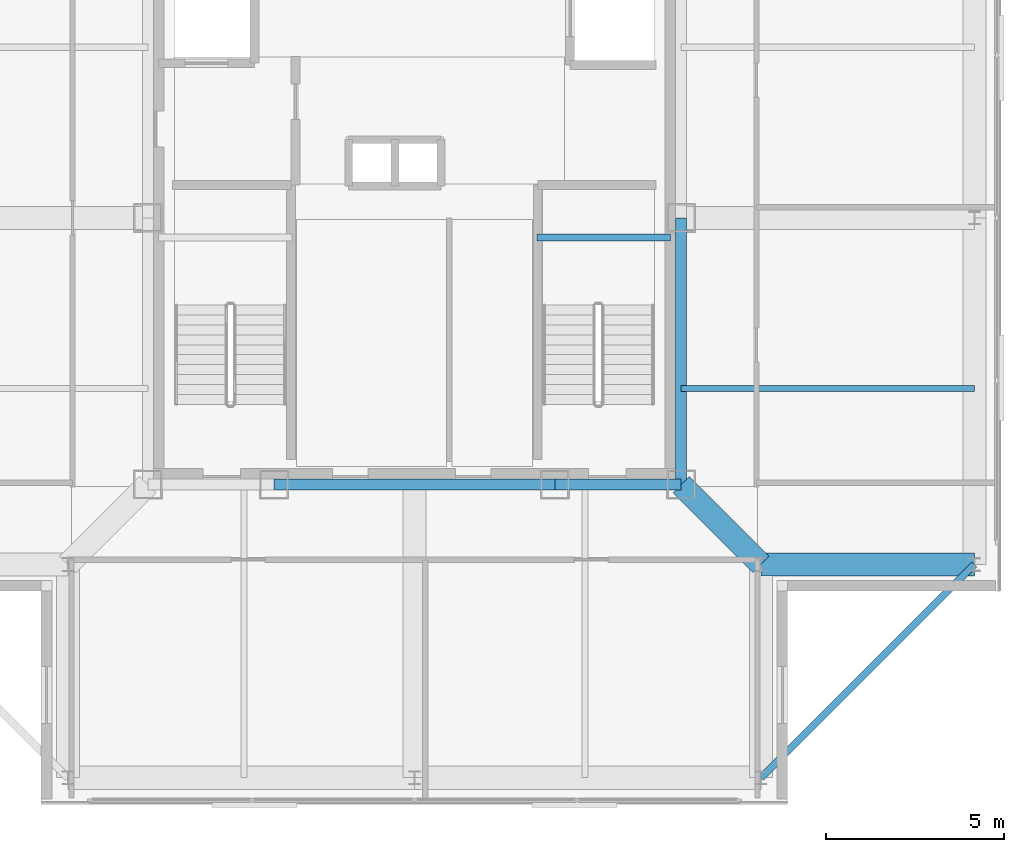
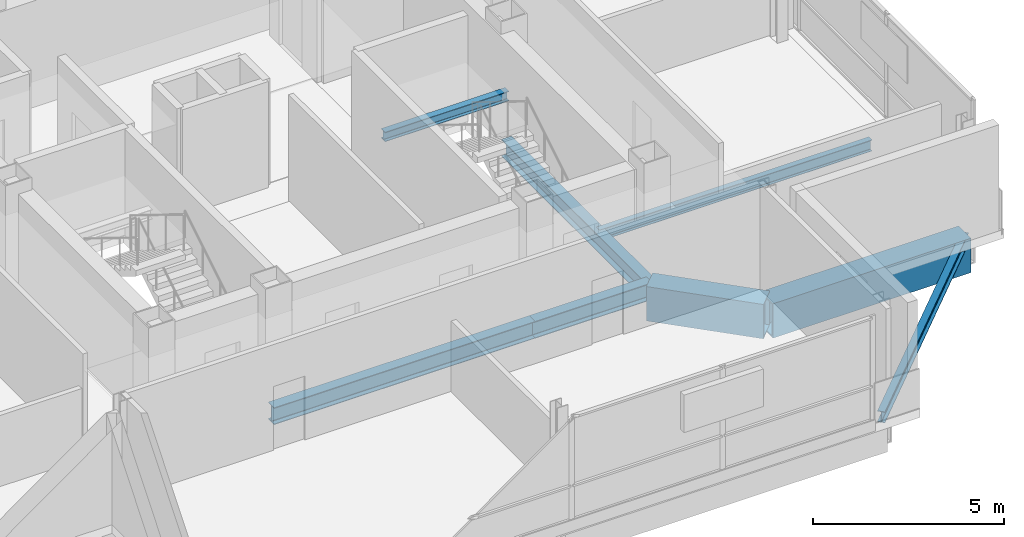
# One storey, part 3 of 11: 8 beams.
"""IFC4 building model written with IfcOpenShell, lengths in metres."""

from ifc_helpers import new_model, si_unit, direction, frame, origin, origin_2d, place, context, subcontext, project, spatial, hollow_rectangle, i_section, extrude, material, material_profile, profile_set, type_object, element, save


model = new_model("IFC4")

# Units and contexts
model_context = context("Model", 3, precision=1e-05, world=origin(), true_north=direction((0.0, 1.0)))
body_context = subcontext(model_context, "Body", "Model", "MODEL_VIEW")
ifc_project = project(units=[si_unit("LENGTHUNIT", "METRE"), si_unit("AREAUNIT", "SQUARE_METRE"), si_unit("VOLUMEUNIT", "CUBIC_METRE"), si_unit("PLANEANGLEUNIT", "RADIAN"), si_unit("MASSUNIT", "GRAM", prefix="KILO")], contexts=[model_context])

# Site, building, storey
site_placement = place(None, origin())
site = spatial("IfcSite", under=ifc_project, at=site_placement, CompositionType="ELEMENT")
building_placement = place(site_placement, origin())
building = spatial("IfcBuilding", under=site, at=building_placement, Name="Trevonay Congress Spire", CompositionType="ELEMENT")
storey_placement = place(building_placement, frame((0.0, 0.0, 312.199951171875)))
storey = spatial("IfcBuildingStorey", under=building, at=storey_placement, Name="L82", CompositionType="ELEMENT", Elevation=312.199951171875)

# Beams
ifc_material = material(Name="Steel ASTM A572 Grade 50", Category="steel")
ifc_material_profile_1 = material_profile(ifc_material, i_section(OverallWidth=0.31201171875, OverallDepth=0.54296875, WebThickness=0.0126953125, FlangeThickness=0.020263671875, FilletRadius=0.014892578125, at=origin_2d()), Name="W530x150")
ifc_profile_set_1 = profile_set([ifc_material_profile_1], Name="Steel ASTM A572 Grade 50")
beam_type_1 = type_object("IfcBeamType", Name="BM-GIRD-W530X150", PredefinedType="BEAM", material=ifc_profile_set_1)
beam_1_placement = place(storey_placement, frame((-3.949951171875, -7.5, -0.551513671875), z_axis=(1.0, 0.0, 0.0), x_axis=(0.0, 1.0, 0.0)))
element("IfcBeam", 1, at=beam_1_placement, inside=storey, type_object=beam_type_1, Name="L82 structural beam BM-L82-CR-S2", PredefinedType="BEAM", context=body_context, shape_type="SweptSolid", body=[
    extrude(i_section(OverallWidth=0.31201171875, OverallDepth=0.54296875, WebThickness=0.0126953125, FlangeThickness=0.020263671875, FilletRadius=0.014892578125, at=origin_2d()), origin(), (0.0, 0.0, 1.0), 7.89990234375),
])
beam_2_placement = place(storey_placement, frame((3.949951171875, -7.5, -0.551513671875), z_axis=(1.0, 0.0, 0.0), x_axis=(0.0, 1.0, 0.0)))
element("IfcBeam", 2, at=beam_2_placement, inside=storey, type_object=beam_type_1, Name="L82 structural beam BM-L82-CR-S3", PredefinedType="BEAM", context=body_context, shape_type="SweptSolid", body=[
    extrude(i_section(OverallWidth=0.31201171875, OverallDepth=0.54296875, WebThickness=0.0126953125, FlangeThickness=0.020263671875, FilletRadius=0.014892578125, at=origin_2d()), origin(), (0.0, 0.0, 1.0), 3.550048828125),
])
beam_3_placement = place(storey_placement, frame((7.5, -7.5, -0.551513671875), z_axis=(0.0, 1.0, 0.0), x_axis=(-1.0, 0.0, 0.0)))
element("IfcBeam", 3, at=beam_3_placement, inside=storey, type_object=beam_type_1, Name="L82 structural beam BM-L82-CR-E1", PredefinedType="BEAM", context=body_context, shape_type="SweptSolid", body=[
    extrude(i_section(OverallWidth=0.31201171875, OverallDepth=0.54296875, WebThickness=0.0126953125, FlangeThickness=0.020263671875, FilletRadius=0.014892578125, at=origin_2d()), origin(), (0.0, 0.0, 1.0), 7.5),
])
ifc_material_profile_2 = material_profile(ifc_material, hollow_rectangle(XDim=0.64990234375, YDim=1.10009765625, WallThickness=0.044921875, at=origin_2d()), Name="BOX 1100x650x45")
ifc_profile_set_2 = profile_set([ifc_material_profile_2], Name="Steel ASTM A572 Grade 50")
beam_type_2 = type_object("IfcBeamType", Name="BM-RING-BOX1100", PredefinedType="BEAM", material=ifc_profile_set_2)
beam_4_placement = place(storey_placement, frame((15.75, -9.75, -0.829833984375), z_axis=(-1.0, 0.0, 0.0), x_axis=(0.0, -1.0, 0.0)))
element("IfcBeam", 4, at=beam_4_placement, inside=storey, type_object=beam_type_2, Name="L82 structural beam BM-L82-N2SE", PredefinedType="BEAM", context=body_context, shape_type="SweptSolid", body=[
    extrude(hollow_rectangle(XDim=0.64990234375, YDim=1.10009765625, WallThickness=0.044921875, at=origin_2d()), origin(), (0.0, 0.0, 1.0), 6.0),
])
ifc_material_profile_3 = material_profile(ifc_material, hollow_rectangle(XDim=0.64990234375, YDim=1.10009765625, WallThickness=0.044921875, at=origin_2d()), Name="BOX 1100x650x45")
ifc_profile_set_3 = profile_set([ifc_material_profile_3], Name="Steel ASTM A572 Grade 50")
beam_type_3 = type_object("IfcBeamType", Name="BM-XFER-BOX1100", PredefinedType="BEAM", material=ifc_profile_set_3)
beam_5_placement = place(storey_placement, frame((7.5, -7.5, -0.829833984375), z_axis=(0.707106781187, -0.707106781187, 0.0), x_axis=(0.707106781187, 0.707106781187, 0.0)))
element("IfcBeam", 5, at=beam_5_placement, inside=storey, type_object=beam_type_3, Name="L82 structural beam BM-L82-CDSE", PredefinedType="BEAM", context=body_context, shape_type="SweptSolid", body=[
    extrude(hollow_rectangle(XDim=0.64990234375, YDim=1.10009765625, WallThickness=0.044921875, at=origin_2d()), origin(), (0.0, 0.0, 1.0), 3.181884765625),
])
ifc_material_profile_4 = material_profile(ifc_material, i_section(OverallWidth=0.172119140625, OverallDepth=0.35791015625, WebThickness=0.0078125, FlangeThickness=0.01318359375, FilletRadius=0.011962890625, at=origin_2d()), Name="W360x57.8")
ifc_profile_set_4 = profile_set([ifc_material_profile_4], Name="Steel ASTM A572 Grade 50")
beam_type_4 = type_object("IfcBeamType", Name="JS-COMP-W360X57", PredefinedType="JOIST", material=ifc_profile_set_4)
beam_6_placement = place(storey_placement, frame((7.5, -4.800048828125, -0.458984375), z_axis=(1.0, 0.0, 0.0), x_axis=(0.0, 1.0, 0.0)))
element("IfcBeam", 6, at=beam_6_placement, inside=storey, type_object=beam_type_4, Name="L82 structural beam JS-L82-EW-E1", PredefinedType="JOIST", context=body_context, shape_type="SweptSolid", body=[
    extrude(i_section(OverallWidth=0.172119140625, OverallDepth=0.35791015625, WebThickness=0.0078125, FlangeThickness=0.01318359375, FilletRadius=0.011962890625, at=origin_2d()), origin(), (0.0, 0.0, 1.0), 8.25),
])
ifc_material_profile_5 = material_profile(ifc_material, i_section(OverallWidth=0.2041015625, OverallDepth=0.305908203125, WebThickness=0.008544921875, FlangeThickness=0.0146484375, FilletRadius=0.010986328125, at=origin_2d()), Name="W310x67")
ifc_profile_set_5 = profile_set([ifc_material_profile_5], Name="Steel ASTM A572 Grade 50")
beam_type_5 = type_object("IfcBeamType", Name="LN-CORE-W310X67", PredefinedType="LINTEL", material=ifc_profile_set_5)
beam_7_placement = place(storey_placement, frame((3.449951171875, -0.550048828125, 1.547119140625), z_axis=(1.0, 0.0, 0.0), x_axis=(0.0, 1.0, 0.0)))
element("IfcBeam", 7, at=beam_7_placement, inside=storey, type_object=beam_type_5, Name="L82 structural beam BM-L82-HL-ST2", PredefinedType="LINTEL", context=body_context, shape_type="SweptSolid", body=[
    extrude(i_section(OverallWidth=0.2041015625, OverallDepth=0.305908203125, WebThickness=0.008544921875, FlangeThickness=0.0146484375, FilletRadius=0.010986328125, at=origin_2d()), origin(), (0.0, 0.0, 1.0), 3.75),
])
ifc_material_profile_6 = material_profile(ifc_material, i_section(OverallWidth=0.205078125, OverallDepth=0.35400390625, WebThickness=0.009521484375, FlangeThickness=0.016845703125, FilletRadius=0.011962890625, at=origin_2d()), Name="W360x79")
ifc_profile_set_6 = profile_set([ifc_material_profile_6], Name="Steel ASTM A572 Grade 50")
beam_type_6 = type_object("IfcBeamType", Name="SPB-HSS350", PredefinedType="SPANDREL", material=ifc_profile_set_6)
beam_8_placement = place(storey_placement, frame((9.75, -15.75, -0.45703125), z_axis=(0.707106781187, 0.707106781187, 0.0), x_axis=(-0.707106781187, 0.707106781187, 0.0)))
element("IfcBeam", 8, at=beam_8_placement, inside=storey, type_object=beam_type_6, Name="L82 structural beam SPB-L82-SE", PredefinedType="SPANDREL", context=body_context, shape_type="SweptSolid", body=[
    extrude(i_section(OverallWidth=0.205078125, OverallDepth=0.35400390625, WebThickness=0.009521484375, FlangeThickness=0.016845703125, FilletRadius=0.011962890625, at=origin_2d()), origin(), (0.0, 0.0, 1.0), 8.4853515625),
])

save(model, "model.ifc")
